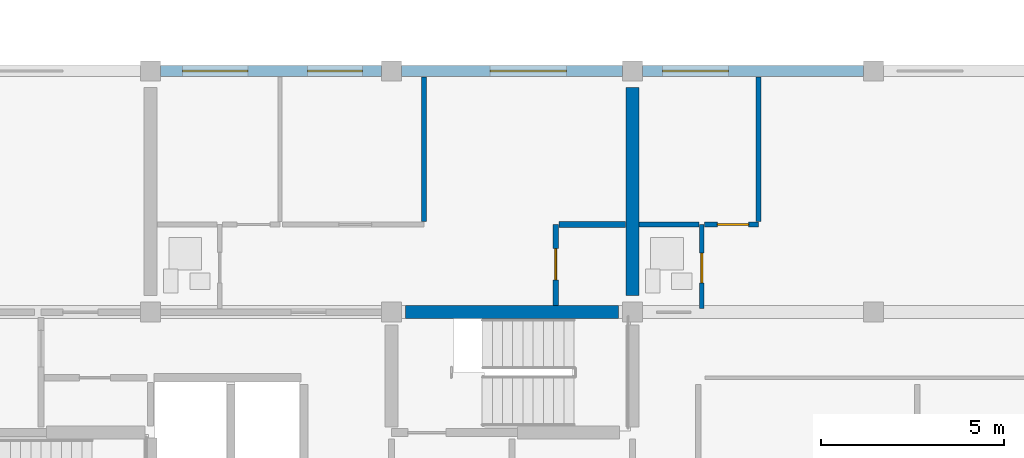
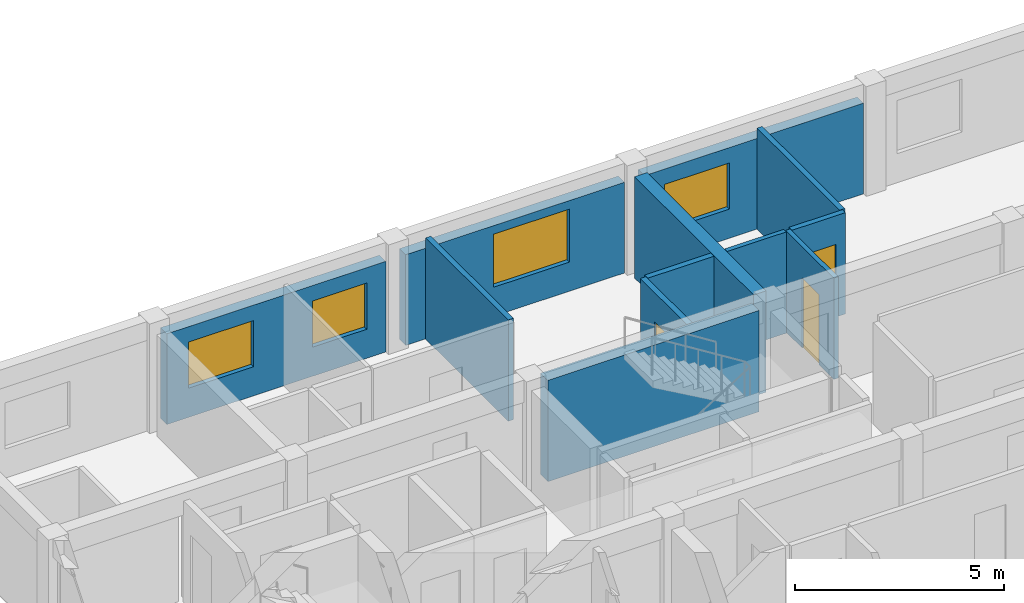
# One storey, part 39 of 51: 12 walls, 4 windows, 3 doors, 7 openings.
"""IFC4 building model written with IfcOpenShell, lengths in metres."""

from ifc_helpers import new_model, si_unit, direction, frame, frame_2d, origin, place, context, subcontext, project, spatial, rectangle, extrude, material, layer, layer_set, type_object, element, fill, save


model = new_model("IFC4")

# Units and contexts
model_context = context("Model", 3, precision=1e-05, world=origin(), true_north=direction((0.0, 1.0)))
body_context = subcontext(model_context, "Body", "Model", "MODEL_VIEW")
ifc_project = project(units=[si_unit("LENGTHUNIT", "METRE"), si_unit("AREAUNIT", "SQUARE_METRE"), si_unit("VOLUMEUNIT", "CUBIC_METRE"), si_unit("PLANEANGLEUNIT", "RADIAN"), si_unit("MASSUNIT", "GRAM", prefix="KILO")], contexts=[model_context])

# Site, building, storey
site_placement = place(None, origin())
site = spatial("IfcSite", under=ifc_project, at=site_placement, CompositionType="ELEMENT")
building_placement = place(site_placement, origin())
building = spatial("IfcBuilding", under=site, at=building_placement, Name="Kernevlak Ridge Housing Community", CompositionType="ELEMENT")
storey_placement = place(building_placement, frame((0.0, 0.0, 8.39990234375)))
storey = spatial("IfcBuildingStorey", under=building, at=storey_placement, Name="L02", CompositionType="ELEMENT", Elevation=8.39990234375)

# Wall, openings, windows
ifc_material_1 = material(Name="Concrete block masonry M10", Category="masonry")
ifc_layer_1 = layer(ifc_material_1, 0.300048828125, Name="Concrete block masonry M10")
ifc_layer_set_1 = layer_set([ifc_layer_1], Name="Concrete block masonry M10")
wall_type_1 = type_object("IfcWallType", Name="EW-01", PredefinedType="STANDARD", material=ifc_layer_set_1)
wall_1_placement = place(storey_placement, frame((126.27490234375, 102.39990234375, 0.0), z_axis=(0.0, 0.0, 1.0), x_axis=(1.0, 0.0, 0.0)))
wall_1 = element("IfcWall", 1, at=wall_1_placement, inside=storey, type_object=wall_type_1, Name="Exterior wall EW-01 L02 329", PredefinedType="STANDARD", context=body_context, shape_type="SweptSolid", body=[
    extrude(rectangle(XDim=6.050048828125, YDim=0.300048828125, at=frame_2d((3.02490234375, 0.0))), origin(), (0.0, 0.0, 1.0), 2.650146484375),
])
opening_1_placement = place(wall_1_placement, frame((0.60009765625, 0.0, 0.85009765625)))
opening_1 = element("IfcOpeningElement", 2, at=opening_1_placement, cuts=wall_1, Name="Opening WT-03", PredefinedType="OPENING", context=body_context, shape_type="SweptSolid", body=[
    extrude(rectangle(XDim=1.800048828125, YDim=1.35009765625, at=frame_2d((0.89990234375, 0.675048828125))), frame((0.0, 0.159912109375, 0.0), z_axis=(0.0, -1.0, 0.0), x_axis=(1.0, 0.0, 0.0)), (0.0, 0.0, 1.0), 0.320068359375),
])
opening_2_placement = place(wall_1_placement, frame((4.02490234375, 0.0, 0.85009765625)))
opening_2 = element("IfcOpeningElement", 3, at=opening_2_placement, cuts=wall_1, Name="Opening WT-02", PredefinedType="OPENING", context=body_context, shape_type="SweptSolid", body=[
    extrude(rectangle(XDim=1.5, YDim=1.35009765625, at=frame_2d((0.75, 0.675048828125))), frame((0.0, 0.159912109375, 0.0), z_axis=(0.0, -1.0, 0.0), x_axis=(1.0, 0.0, 0.0)), (0.0, 0.0, 1.0), 0.320068359375),
])
ifc_material_2 = material(Name="Aluminium EN AW-6060 anodised and laminated glass", Category="aluminium")
window_type_1 = type_object("IfcWindowType", Name="WT-02", PartitioningType="SINGLE_PANEL", PredefinedType="WINDOW", material=ifc_material_2)
window_1_placement = place(opening_2_placement, origin())
window_1 = element("IfcWindow", 4, at=window_1_placement, inside=storey, type_object=window_type_1, Name="Window WT-02 L02 255", OverallHeight=1.35009765625, OverallWidth=1.5, PartitioningType="SINGLE_PANEL", PredefinedType="WINDOW", context=body_context, shape_type="SweptSolid", body=[
    extrude(rectangle(XDim=1.5, YDim=1.35009765625, at=frame_2d((0.75, 0.675048828125))), frame((0.0, 0.030029296875, 0.0), z_axis=(0.0, -1.0, 0.0), x_axis=(1.0, 0.0, 0.0)), (0.0, 0.0, 1.0), 0.06005859375),
])
fill(opening_2, window_1)
window_type_2 = type_object("IfcWindowType", Name="WT-03", PartitioningType="SINGLE_PANEL", PredefinedType="WINDOW", material=ifc_material_2)
window_2_placement = place(opening_1_placement, origin())
window_2 = element("IfcWindow", 5, at=window_2_placement, inside=storey, type_object=window_type_2, Name="Window WT-03 L02 254", OverallHeight=1.35009765625, OverallWidth=1.800048828125, PartitioningType="SINGLE_PANEL", PredefinedType="WINDOW", context=body_context, shape_type="SweptSolid", body=[
    extrude(rectangle(XDim=1.800048828125, YDim=1.35009765625, at=frame_2d((0.89990234375, 0.675048828125))), frame((0.0, 0.030029296875, 0.0), z_axis=(0.0, -1.0, 0.0), x_axis=(1.0, 0.0, 0.0)), (0.0, 0.0, 1.0), 0.06005859375),
])
fill(opening_1, window_2)

# Wall, opening, window
wall_2_placement = place(storey_placement, frame((132.875, 102.39990234375, 0.0), z_axis=(0.0, 0.0, 1.0), x_axis=(1.0, 0.0, 0.0)))
wall_2 = element("IfcWall", 6, at=wall_2_placement, inside=storey, type_object=wall_type_1, Name="Exterior wall EW-01 L02 330", PredefinedType="STANDARD", context=body_context, shape_type="SweptSolid", body=[
    extrude(rectangle(XDim=6.050048828125, YDim=0.300048828125, at=frame_2d((3.02490234375, 0.0))), origin(), (0.0, 0.0, 1.0), 2.650146484375),
])
opening_3_placement = place(wall_2_placement, frame((2.4208984375, 0.0, 0.85009765625)))
opening_3 = element("IfcOpeningElement", 7, at=opening_3_placement, cuts=wall_2, Name="Opening WT-05", PredefinedType="OPENING", context=body_context, shape_type="SweptSolid", body=[
    extrude(rectangle(XDim=2.10009765625, YDim=1.550048828125, at=frame_2d((1.050048828125, 0.77490234375))), frame((0.0, 0.159912109375, 0.0), z_axis=(0.0, -1.0, 0.0), x_axis=(1.0, 0.0, 0.0)), (0.0, 0.0, 1.0), 0.320068359375),
])
window_type_3 = type_object("IfcWindowType", Name="WT-05", PartitioningType="SINGLE_PANEL", PredefinedType="WINDOW", material=ifc_material_2)
window_3_placement = place(opening_3_placement, origin())
window_3 = element("IfcWindow", 8, at=window_3_placement, inside=storey, type_object=window_type_3, Name="Window WT-05 L02 256", OverallHeight=1.550048828125, OverallWidth=2.10009765625, PartitioningType="SINGLE_PANEL", PredefinedType="WINDOW", context=body_context, shape_type="SweptSolid", body=[
    extrude(rectangle(XDim=2.10009765625, YDim=1.550048828125, at=frame_2d((1.050048828125, 0.77490234375))), frame((0.0, 0.030029296875, 0.0), z_axis=(0.0, -1.0, 0.0), x_axis=(1.0, 0.0, 0.0)), (0.0, 0.0, 1.0), 0.06005859375),
])
fill(opening_3, window_3)

wall_3_placement = place(storey_placement, frame((139.47509765625, 102.39990234375, 0.0), z_axis=(0.0, 0.0, 1.0), x_axis=(1.0, 0.0, 0.0)))
wall_3 = element("IfcWall", 9, at=wall_3_placement, inside=storey, type_object=wall_type_1, Name="Exterior wall EW-01 L02 331", PredefinedType="STANDARD", context=body_context, shape_type="SweptSolid", body=[
    extrude(rectangle(XDim=6.0498046875, YDim=0.300048828125, at=frame_2d((3.02490234375, 0.0))), origin(), (0.0, 0.0, 1.0), 2.650146484375),
])
opening_4_placement = place(wall_3_placement, frame((0.550048828125, 0.0, 0.85009765625)))
opening_4 = element("IfcOpeningElement", 10, at=opening_4_placement, cuts=wall_3, Name="Opening WT-03", PredefinedType="OPENING", context=body_context, shape_type="SweptSolid", body=[
    extrude(rectangle(XDim=1.800048828125, YDim=1.35009765625, at=frame_2d((0.89990234375, 0.675048828125))), frame((0.0, 0.159912109375, 0.0), z_axis=(0.0, -1.0, 0.0), x_axis=(1.0, 0.0, 0.0)), (0.0, 0.0, 1.0), 0.320068359375),
])
window_4_placement = place(opening_4_placement, origin())
window_4 = element("IfcWindow", 11, at=window_4_placement, inside=storey, type_object=window_type_2, Name="Window WT-03 L02 257", OverallHeight=1.35009765625, OverallWidth=1.800048828125, PartitioningType="SINGLE_PANEL", PredefinedType="WINDOW", context=body_context, shape_type="SweptSolid", body=[
    extrude(rectangle(XDim=1.800048828125, YDim=1.35009765625, at=frame_2d((0.89990234375, 0.675048828125))), frame((0.0, 0.030029296875, 0.0), z_axis=(0.0, -1.0, 0.0), x_axis=(1.0, 0.0, 0.0)), (0.0, 0.0, 1.0), 0.06005859375),
])
fill(opening_4, window_4)

# Wall
ifc_layer_2 = layer(ifc_material_1, 0.14501953125, Name="Concrete block masonry M10")
ifc_layer_set_2 = layer_set([ifc_layer_2], Name="Concrete block masonry M10")
wall_type_2 = type_object("IfcWallType", Name="PW-03", PredefinedType="PARTITIONING", material=ifc_layer_set_2)
wall_4_placement = place(storey_placement, frame((133.491943359375, 98.282470703125, 0.0), z_axis=(0.0, 0.0, 1.0), x_axis=(0.0, 1.0, 0.0)))
element("IfcWall", 12, at=wall_4_placement, inside=storey, type_object=wall_type_2, Name="Interior wall PW-03 WAL-INT-L02-1318", PredefinedType="PARTITIONING", context=body_context, shape_type="SweptSolid", body=[
    extrude(rectangle(XDim=3.95751953125, YDim=0.14501953125, at=frame_2d((1.978759765625, 0.0))), origin(), (0.0, 0.0, 1.0), 2.960205078125),
])

# Wall, opening, door
wall_5_placement = place(storey_placement, frame((141.172607421875, 98.199951171875, 0.0), z_axis=(0.0, 0.0, 1.0), x_axis=(1.0, 0.0, 0.0)))
wall_5 = element("IfcWall", 13, at=wall_5_placement, inside=storey, type_object=wall_type_2, Name="Interior wall PW-03 WAL-INT-L02-1324", PredefinedType="PARTITIONING", context=body_context, shape_type="SweptSolid", body=[
    extrude(rectangle(XDim=1.477294921875, YDim=0.14501953125, at=frame_2d((0.73876953125, 0.0))), origin(), (0.0, 0.0, 1.0), 2.960205078125),
])
opening_5_placement = place(wall_5_placement, frame((0.35009765625, 0.0, 0.0)))
opening_5 = element("IfcOpeningElement", 14, at=opening_5_placement, cuts=wall_5, Name="Opening D670", PredefinedType="OPENING", context=body_context, shape_type="SweptSolid", body=[
    extrude(rectangle(XDim=0.860107421875, YDim=2.1201171875, at=frame_2d((0.43017578125, 1.06005859375))), frame((0.0, 0.08251953125, 0.0), z_axis=(0.0, -1.0, 0.0), x_axis=(1.0, 0.0, 0.0)), (0.0, 0.0, 1.0), 0.1650390625),
])
ifc_material_3 = material(Name="Hardwood timber leaf", Category="wood")
door_type_1 = type_object("IfcDoorType", Name="DT-28", OperationType="NOTDEFINED", PredefinedType="DOOR", material=ifc_material_3)
door_1_placement = place(opening_5_placement, origin())
door_1 = element("IfcDoor", 15, at=door_1_placement, inside=storey, type_object=door_type_1, Name="Flat B0223 bedroom door D670", OperationType="SINGLE_SWING_RIGHT", OverallHeight=2.1201171875, OverallWidth=0.860107421875, PredefinedType="DOOR", context=body_context, shape_type="SweptSolid", body=[
    extrude(rectangle(XDim=0.860107421875, YDim=2.1201171875, at=frame_2d((0.43017578125, 1.06005859375))), frame((0.0, 0.02490234375, 0.0), z_axis=(0.0, -1.0, 0.0), x_axis=(1.0, 0.0, 0.0)), (0.0, 0.0, 1.0), 0.050048828125),
])
fill(opening_5, door_1)

# Wall
wall_6_placement = place(storey_placement, frame((142.64990234375, 98.282470703125, 0.0), z_axis=(0.0, 0.0, 1.0), x_axis=(0.0, 1.0, 0.0)))
element("IfcWall", 16, at=wall_6_placement, inside=storey, type_object=wall_type_2, Name="Interior wall PW-03 WAL-INT-L02-1325", PredefinedType="PARTITIONING", context=body_context, shape_type="SweptSolid", body=[
    extrude(rectangle(XDim=3.95751953125, YDim=0.14501953125, at=frame_2d((1.978759765625, 0.0))), origin(), (0.0, 0.0, 1.0), 2.960205078125),
])

# Wall, opening, door
ifc_material_4 = material(Name="Gypsum plasterboard EN 520", Category="gypsum")
ifc_layer_3 = layer(ifc_material_4, 0.125, Name="Gypsum plasterboard EN 520")
ifc_layer_set_3 = layer_set([ifc_layer_3], Name="Gypsum plasterboard EN 520")
wall_type_3 = type_object("IfcWallType", Name="PW-04", PredefinedType="PARTITIONING", material=ifc_layer_set_3)
wall_7_placement = place(storey_placement, frame((141.10009765625, 95.8974609375, 0.0), z_axis=(0.0, 0.0, 1.0), x_axis=(0.0, 1.0, 0.0)))
wall_7 = element("IfcWall", 17, at=wall_7_placement, inside=storey, type_object=wall_type_3, Name="Interior wall PW-04 WAL-INT-L02-1320", PredefinedType="PARTITIONING", context=body_context, shape_type="SweptSolid", body=[
    extrude(rectangle(XDim=2.302490234375, YDim=0.125, at=frame_2d((1.1513671875, 0.0))), origin(), (0.0, 0.0, 1.0), 2.960205078125),
])
opening_6_placement = place(wall_7_placement, frame((0.699951171875, 0.0, 0.0)))
opening_6 = element("IfcOpeningElement", 18, at=opening_6_placement, cuts=wall_7, Name="Opening D668", PredefinedType="OPENING", context=body_context, shape_type="SweptSolid", body=[
    extrude(rectangle(XDim=0.820068359375, YDim=2.050048828125, at=frame_2d((0.41015625, 1.02490234375))), frame((0.0, 0.072509765625, 0.0), z_axis=(0.0, -1.0, 0.0), x_axis=(1.0, 0.0, 0.0)), (0.0, 0.0, 1.0), 0.14501953125),
])
ifc_material_5 = material(Name="Hardwood timber moisture-resistant leaf", Category="wood")
door_type_2 = type_object("IfcDoorType", Name="DT-30", OperationType="NOTDEFINED", PredefinedType="DOOR", material=ifc_material_5)
door_2_placement = place(opening_6_placement, origin())
door_2 = element("IfcDoor", 19, at=door_2_placement, inside=storey, type_object=door_type_2, Name="Flat B0223 bathroom door D668", OperationType="SINGLE_SWING_RIGHT", OverallHeight=2.050048828125, OverallWidth=0.820068359375, PredefinedType="DOOR", context=body_context, shape_type="SweptSolid", body=[
    extrude(rectangle(XDim=0.820068359375, YDim=2.050048828125, at=frame_2d((0.41015625, 1.02490234375))), frame((0.0, 0.02490234375, 0.0), z_axis=(0.0, -1.0, 0.0), x_axis=(1.0, 0.0, 0.0)), (0.0, 0.0, 1.0), 0.050048828125),
])
fill(opening_6, door_2)

# Wall
wall_8_placement = place(storey_placement, frame((139.385009765625, 98.199951171875, 0.0), z_axis=(0.0, 0.0, 1.0), x_axis=(1.0, 0.0, 0.0)))
element("IfcWall", 20, at=wall_8_placement, inside=storey, type_object=wall_type_3, Name="Interior wall PW-04 WAL-INT-L02-1321", PredefinedType="PARTITIONING", context=body_context, shape_type="SweptSolid", body=[
    extrude(rectangle(XDim=1.635009765625, YDim=0.125, at=frame_2d((0.8173828125, 0.0))), origin(), (0.0, 0.0, 1.0), 2.960205078125),
])

# Wall, opening, door
ifc_layer_4 = layer(ifc_material_4, 0.155029296875, Name="Gypsum plasterboard EN 520")
ifc_layer_set_4 = layer_set([ifc_layer_4], Name="Gypsum plasterboard EN 520")
wall_type_4 = type_object("IfcWallType", Name="PW-05", PredefinedType="PARTITIONING", material=ifc_layer_set_4)
wall_9_placement = place(storey_placement, frame((137.10009765625, 95.985107421875, 0.0), z_axis=(0.0, 0.0, 1.0), x_axis=(0.0, 1.0, 0.0)))
wall_9 = element("IfcWall", 21, at=wall_9_placement, inside=storey, type_object=wall_type_4, Name="Interior wall PW-05 WAL-INT-L02-1313", PredefinedType="PARTITIONING", context=body_context, shape_type="SweptSolid", body=[
    extrude(rectangle(XDim=2.21484375, YDim=0.155029296875, at=frame_2d((1.107421875, 0.0))), origin(), (0.0, 0.0, 1.0), 2.960205078125),
])
opening_7_placement = place(wall_9_placement, frame((0.699951171875, 0.0, 0.0)))
opening_7 = element("IfcOpeningElement", 22, at=opening_7_placement, cuts=wall_9, Name="Opening D664", PredefinedType="OPENING", context=body_context, shape_type="SweptSolid", body=[
    extrude(rectangle(XDim=0.85009765625, YDim=2.10009765625, at=frame_2d((0.425048828125, 1.050048828125))), frame((0.0, 0.08740234375, 0.0), z_axis=(0.0, -1.0, 0.0), x_axis=(1.0, 0.0, 0.0)), (0.0, 0.0, 1.0), 0.175048828125),
])
door_type_3 = type_object("IfcDoorType", Name="DT-03", OperationType="NOTDEFINED", PredefinedType="DOOR", material=ifc_material_3)
door_3_placement = place(opening_7_placement, origin())
door_3 = element("IfcDoor", 23, at=door_3_placement, inside=storey, type_object=door_type_3, Name="Flat B0222 kitchen door D664", OperationType="SINGLE_SWING_RIGHT", OverallHeight=2.10009765625, OverallWidth=0.85009765625, PredefinedType="DOOR", context=body_context, shape_type="SweptSolid", body=[
    extrude(rectangle(XDim=0.85009765625, YDim=2.10009765625, at=frame_2d((0.425048828125, 1.050048828125))), frame((0.0, 0.02490234375, 0.0), z_axis=(0.0, -1.0, 0.0), x_axis=(1.0, 0.0, 0.0)), (0.0, 0.0, 1.0), 0.050048828125),
])
fill(opening_7, door_3)

# Walls
wall_10_placement = place(storey_placement, frame((137.1875, 98.199951171875, 0.0), z_axis=(0.0, 0.0, 1.0), x_axis=(1.0, 0.0, 0.0)))
element("IfcWall", 24, at=wall_10_placement, inside=storey, type_object=wall_type_4, Name="Interior wall PW-05 WAL-INT-L02-1314", PredefinedType="PARTITIONING", context=body_context, shape_type="SweptSolid", body=[
    extrude(rectangle(XDim=1.827392578125, YDim=0.155029296875, at=frame_2d((0.91357421875, 0.0))), origin(), (0.0, 0.0, 1.0), 2.960205078125),
])
ifc_material_6 = material(Name="Concrete C40/50", Category="concrete")
ifc_layer_5 = layer(ifc_material_6, 0.35009765625, Name="Concrete C40/50")
ifc_layer_set_5 = layer_set([ifc_layer_5], Name="Concrete C40/50")
wall_type_5 = type_object("IfcWallType", Name="SW-01", PredefinedType="SHEAR", material=ifc_layer_set_5)
wall_11_placement = place(storey_placement, frame((132.97998046875, 95.800048828125, 0.0), z_axis=(0.0, 0.0, 1.0), x_axis=(1.0, 0.0, 0.0)))
element("IfcWall", 25, at=wall_11_placement, inside=storey, type_object=wall_type_5, Name="Shear wall SW-01 Block B L02 234", PredefinedType="SHEAR", context=body_context, shape_type="SweptSolid", body=[
    extrude(rectangle(XDim=5.840087890625, YDim=0.35009765625, at=frame_2d((2.919921875, 0.0))), origin(), (0.0, 0.0, 1.0), 2.960205078125),
])
wall_12_placement = place(storey_placement, frame((139.199951171875, 96.25, 0.0), z_axis=(0.0, 0.0, 1.0), x_axis=(0.0, 1.0, 0.0)))
element("IfcWall", 26, at=wall_12_placement, inside=storey, type_object=wall_type_5, Name="Shear wall SW-01 Block B L02 240", PredefinedType="SHEAR", context=body_context, shape_type="SweptSolid", body=[
    extrude(rectangle(XDim=5.699951171875, YDim=0.35009765625, at=frame_2d((2.85009765625, 0.0))), origin(), (0.0, 0.0, 1.0), 2.960205078125),
])

save(model, "model.ifc")
